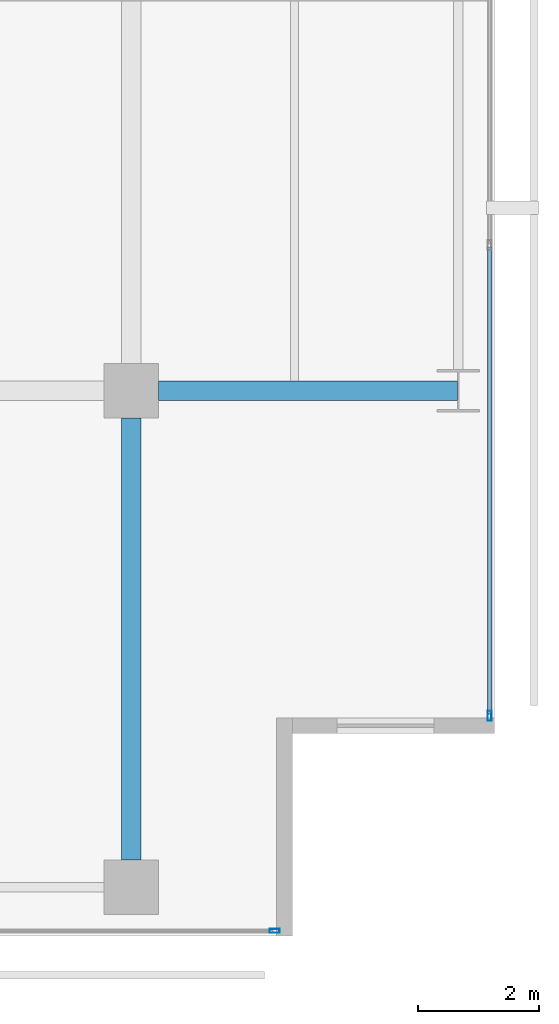
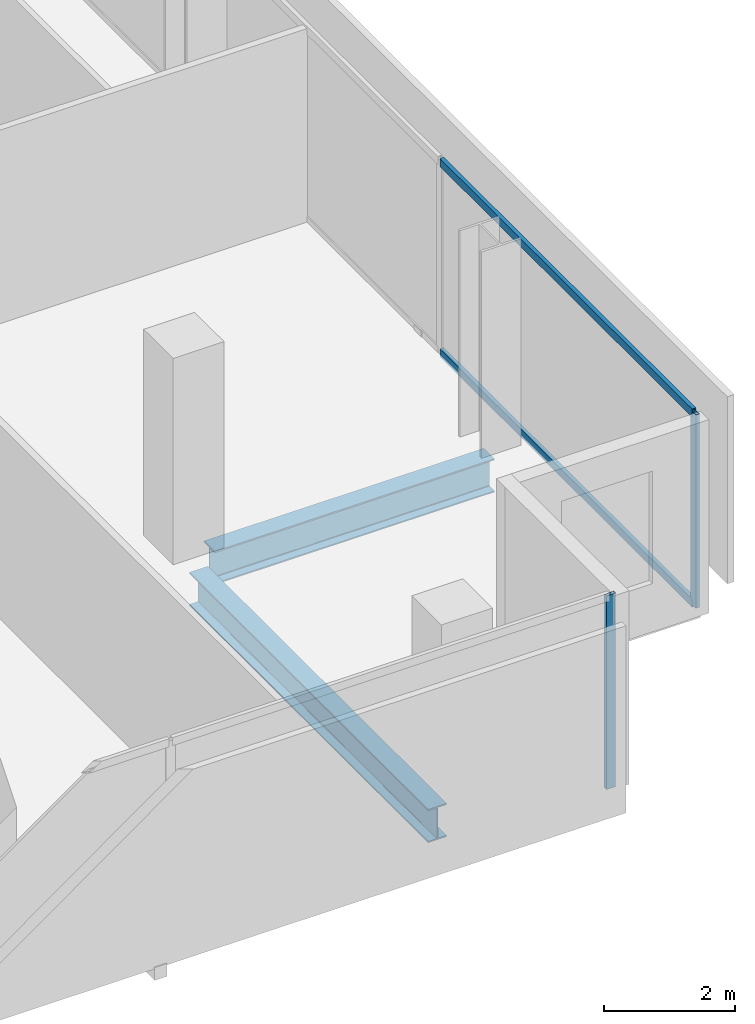
# One storey, part 16 of 40: 4 members, 2 beams, 2 elements without a shape of their own.
"""IFC4 building model written with IfcOpenShell, lengths in metres."""

from ifc_helpers import new_model, si_unit, direction, frame, origin, origin_2d, place, context, subcontext, project, spatial, hollow_rectangle, i_section, extrude, material, layer, layer_set, material_profile, profile_set, type_object, element, aggregate, save


model = new_model("IFC4")

# Units and contexts
model_context = context("Model", 3, precision=1e-05, world=origin(), true_north=direction((0.0, 1.0)))
body_context = subcontext(model_context, "Body", "Model", "MODEL_VIEW")
ifc_project = project(units=[si_unit("LENGTHUNIT", "METRE"), si_unit("AREAUNIT", "SQUARE_METRE"), si_unit("VOLUMEUNIT", "CUBIC_METRE"), si_unit("PLANEANGLEUNIT", "RADIAN"), si_unit("MASSUNIT", "GRAM", prefix="KILO")], contexts=[model_context])

# Site, building, storey
site_placement = place(None, origin())
site = spatial("IfcSite", under=ifc_project, at=site_placement, CompositionType="ELEMENT")
building_placement = place(site_placement, origin())
building = spatial("IfcBuilding", under=site, at=building_placement, Name="Maruvema Waterfront Hotel and Observation Tower", CompositionType="ELEMENT")
storey_placement = place(building_placement, frame((0.0, 0.0, 73.14990234375)))
storey = spatial("IfcBuildingStorey", under=building, at=storey_placement, Name="L17", CompositionType="ELEMENT", Elevation=73.14990234375)

# Curtain wall, members
ifc_material_1 = material(Name="Anodised bronze aluminium and solar-control low-E IGU", Category="aluminium")
ifc_layer = layer(ifc_material_1, 0.159912109375, Name="Zone 1 Bronze Inner Thermal Curtain Wall System CW-02")
ifc_layer_set = layer_set([ifc_layer], Name="Anodised bronze aluminium and solar-control low-E IGU")
curtain_wall_type = type_object("IfcCurtainWallType", Name="Zone 1 Bronze Inner Thermal Curtain Wall System CW-02", PredefinedType="USERDEFINED", material=ifc_layer_set)
curtain_wall_1_placement = place(storey_placement, origin())
curtain_wall_1 = element("IfcCurtainWall", 1, at=curtain_wall_1_placement, inside=storey, type_object=curtain_wall_type, Name="L17 Curtain Wall CW-L17-E", ObjectType="UNITISED CURTAIN WALL", PredefinedType="USERDEFINED")
ifc_material_2 = material(Name="Anodised architectural bronze aluminium", Category="aluminium")
ifc_material_profile_1 = material_profile(ifc_material_2, hollow_rectangle(XDim=0.070068359375, YDim=0.14990234375, WallThickness=0.00390625, at=origin_2d()), Name="ALU-T70x150")
ifc_profile_set_1 = profile_set([ifc_material_profile_1], Name="Anodised architectural bronze aluminium")
member_type_1 = type_object("IfcMemberType", Name="Curtain Wall Horizontal Transom ALU-T70x150", PredefinedType="USERDEFINED", material=ifc_profile_set_1)
member_1_placement = place(storey_placement, frame((64.719970703125, 3.659912109375, 0.030029296875), z_axis=(0.0, 1.0, 0.0), x_axis=(-1.0, 0.0, 0.0)))
member_1 = element("IfcMember", 2, at=member_1_placement, type_object=member_type_1, Name="CW-02 transom 1.1", ObjectType="TRANSOM", PredefinedType="USERDEFINED", context=body_context, shape_type="SweptSolid", body=[
    extrude(hollow_rectangle(XDim=0.070068359375, YDim=0.14990234375, WallThickness=0.00390625, at=origin_2d()), origin(), (0.0, 0.0, 1.0), 7.710205078125),
])
member_2_placement = place(storey_placement, frame((64.719970703125, 3.659912109375, 3.580078125), z_axis=(0.0, 1.0, 0.0), x_axis=(-1.0, 0.0, 0.0)))
member_2 = element("IfcMember", 3, at=member_2_placement, type_object=member_type_1, Name="CW-02 transom 1.2", ObjectType="TRANSOM", PredefinedType="USERDEFINED", context=body_context, shape_type="SweptSolid", body=[
    extrude(hollow_rectangle(XDim=0.070068359375, YDim=0.14990234375, WallThickness=0.00390625, at=origin_2d()), origin(), (0.0, 0.0, 1.0), 7.710205078125),
])

# Curtain wall, member
curtain_wall_2_placement = place(storey_placement, origin())
curtain_wall_2 = element("IfcCurtainWall", 4, at=curtain_wall_2_placement, inside=storey, type_object=curtain_wall_type, Name="L17 Curtain Wall CW-L17-S", ObjectType="UNITISED CURTAIN WALL", PredefinedType="USERDEFINED")
ifc_material_3 = material(Name="Anodised architectural bronze aluminium", Category="aluminium")
ifc_material_profile_2 = material_profile(ifc_material_3, hollow_rectangle(XDim=0.06494140625, YDim=0.1650390625, WallThickness=0.00390625, at=origin_2d()), Name="ALU-M65x165")
ifc_profile_set_2 = profile_set([ifc_material_profile_2], Name="Anodised architectural bronze aluminium")
member_type_2 = type_object("IfcMemberType", Name="Curtain Wall Primary Mullion ALU-M65x165", PredefinedType="MULLION", material=ifc_profile_set_2)
member_3_placement = place(storey_placement, frame((61.169921875, 0.080078125, 0.0), z_axis=(0.0, 0.0, 1.0), x_axis=(0.0, 1.0, 0.0)))
member_3 = element("IfcMember", 5, at=member_3_placement, type_object=member_type_2, Name="CW-02 mullion 7", PredefinedType="MULLION", context=body_context, shape_type="SweptSolid", body=[
    extrude(hollow_rectangle(XDim=0.06494140625, YDim=0.1650390625, WallThickness=0.00390625, at=origin_2d()), origin(), (0.0, 0.0, 1.0), 3.610107421875),
])
aggregate(curtain_wall_2, [member_3])

# Member
member_4_placement = place(storey_placement, frame((64.719970703125, 3.6298828125, 0.0), z_axis=(0.0, 0.0, 1.0), x_axis=(-1.0, 0.0, 0.0)))
member_4 = element("IfcMember", 6, at=member_4_placement, type_object=member_type_2, Name="CW-02 mullion 1", PredefinedType="MULLION", context=body_context, shape_type="SweptSolid", body=[
    extrude(hollow_rectangle(XDim=0.06494140625, YDim=0.1650390625, WallThickness=0.00390625, at=origin_2d()), origin(), (0.0, 0.0, 1.0), 3.610107421875),
])

aggregate(curtain_wall_1, [member_4, member_1, member_2])

# Beams
ifc_material_4 = material(Name="Steel ASTM A572 Grade 50", Category="steel")
ifc_material_profile_3 = material_profile(ifc_material_4, i_section(OverallWidth=0.326904296875, OverallDepth=0.6220703125, WebThickness=0.015380859375, FlangeThickness=0.0244140625, FilletRadius=0.01806640625, at=origin_2d()), Name="W610x195.0")
ifc_profile_set_3 = profile_set([ifc_material_profile_3], Name="Steel ASTM A572 Grade 50")
beam_type = type_object("IfcBeamType", Name="Primary Floor Girder W610x195.0", PredefinedType="BEAM", material=ifc_profile_set_3)
beam_1_placement = place(storey_placement, frame((59.25, 9.0, -0.55078125), z_axis=(1.0, 0.0, 0.0), x_axis=(0.0, 1.0, 0.0)))
element("IfcBeam", 7, at=beam_1_placement, inside=storey, type_object=beam_type, Name="L17 Floor Girder EW-12", PredefinedType="BEAM", context=body_context, shape_type="SweptSolid", body=[
    extrude(i_section(OverallWidth=0.326904296875, OverallDepth=0.6220703125, WebThickness=0.015380859375, FlangeThickness=0.0244140625, FilletRadius=0.01806640625, at=origin_2d()), origin(), (0.0, 0.0, 1.0), 4.93603515625),
])
beam_2_placement = place(storey_placement, frame((58.800048828125, 1.25, -0.55078125), z_axis=(0.0, 1.0, 0.0), x_axis=(-1.0, 0.0, 0.0)))
element("IfcBeam", 8, at=beam_2_placement, inside=storey, type_object=beam_type, Name="L17 Floor Girder NS-27", PredefinedType="BEAM", context=body_context, shape_type="SweptSolid", body=[
    extrude(i_section(OverallWidth=0.326904296875, OverallDepth=0.6220703125, WebThickness=0.015380859375, FlangeThickness=0.0244140625, FilletRadius=0.01806640625, at=origin_2d()), origin(), (0.0, 0.0, 1.0), 7.300048828125),
])

save(model, "model.ifc")
